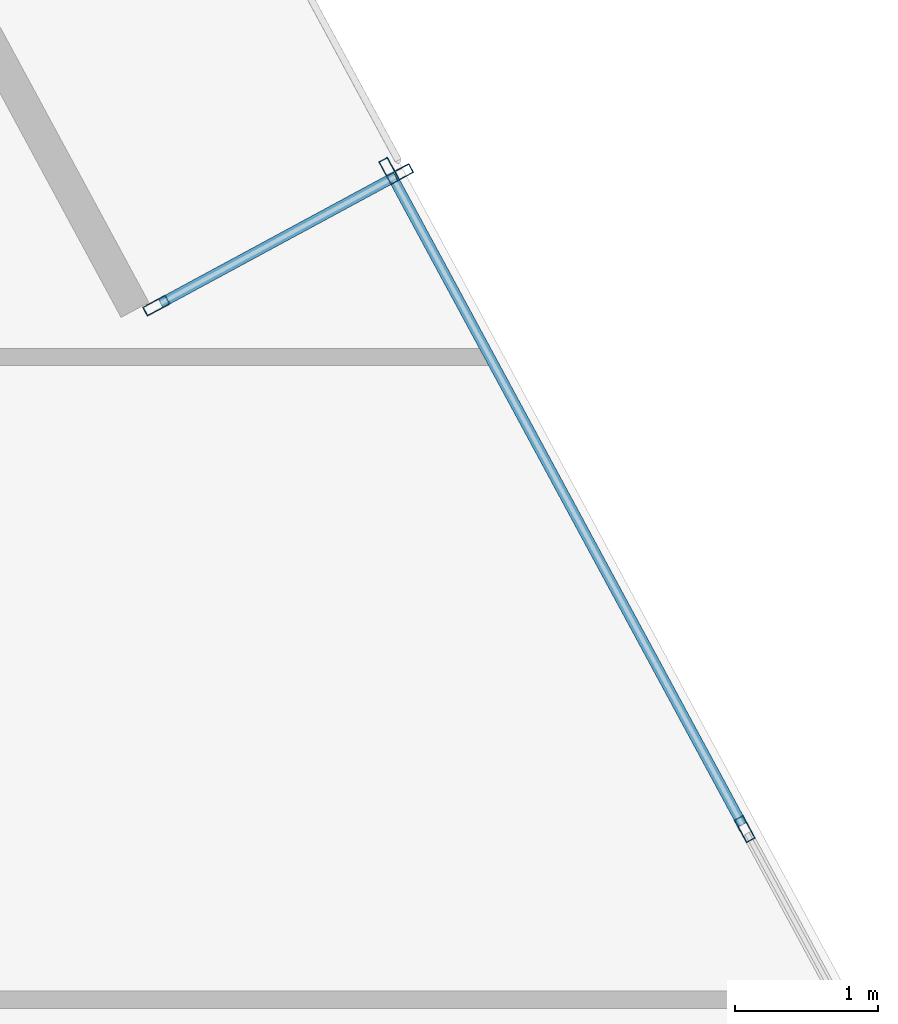
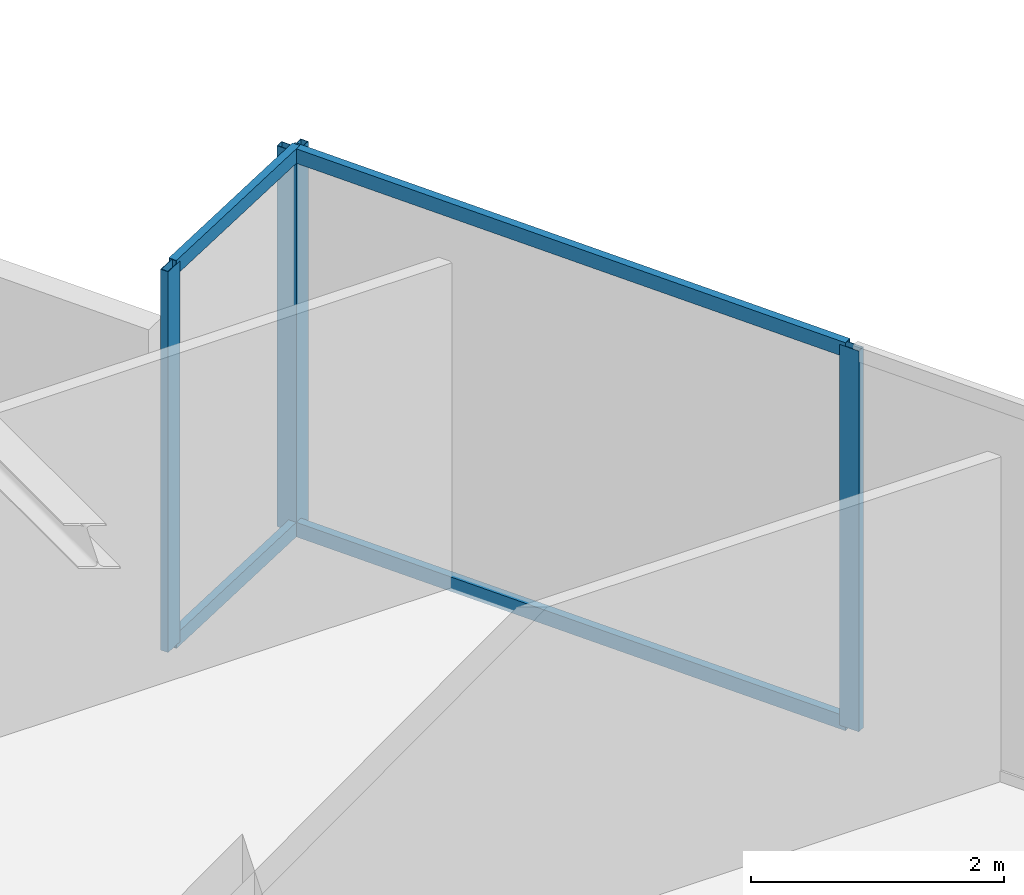
# One storey, part 12 of 22: 8 members, 2 elements without a shape of their own.
"""IFC4 building model written with IfcOpenShell, lengths in metres."""

import ifcopenshell
import ifcopenshell.guid

model = None  # the IFC model being written
_history = None  # IfcOwnerHistory: only IFC2X3 demands one
_inside = {}  # id of a spatial element -> (the spatial element, [elements in it])
_under = {}  # id of a project, library or spatial element -> (it, [spatial elements below it])
_declared = {}  # id of a project -> (the project, [libraries it declares])
_typed = {}  # id of a type object -> (the type object, [elements of that type])
_made_of = {}  # id of a material, layer set ... -> (it, [elements and type objects made of it])


def new_model(schema):
    """Start an empty IFC model of exactly this schema.

    Asked for "IFC4X3", IfcOpenShell would pick the latest addendum, in which some entities
    have other attributes; the version numbers below select the first issue.
    IFC2X3 requires an IfcOwnerHistory on every rooted entity: one is made here for all.
    """
    global model, _history
    if schema == "IFC4X3":
        model = ifcopenshell.file(schema_version=(4, 3, 0, 0))
    else:
        model = ifcopenshell.file(schema=schema)
    _inside.clear()
    _under.clear()
    _declared.clear()
    _typed.clear()
    _made_of.clear()
    _history = None
    if model.schema == "IFC2X3":
        org = make("IfcOrganization", Name="unknown")
        user = make(
            "IfcPersonAndOrganization",
            ThePerson=make("IfcPerson", FamilyName="unknown"),
            TheOrganization=org,
        )
        app = make(
            "IfcApplication",
            ApplicationDeveloper=org,
            Version="unknown",
            ApplicationFullName="unknown",
            ApplicationIdentifier="unknown",
        )
        _history = make(
            "IfcOwnerHistory",
            OwningUser=user,
            OwningApplication=app,
            ChangeAction="ADDED",
            CreationDate=0,
        )
    return model


def make(cls, **values):
    """One entity of the class cls with the attributes given. An attribute that is None is left unset."""
    return model.create_entity(
        cls, **{name: value for name, value in values.items() if value is not None}
    )


def rooted(cls, **values):
    """An entity with a GlobalId (a new one), such as an element, a storey or a relation."""
    return make(cls, GlobalId=ifcopenshell.guid.new(), OwnerHistory=_history, **values)


def si_unit(unit_type, name, prefix=None):
    """IfcSIUnit, for example si_unit("LENGTHUNIT", "METRE", prefix="MILLI")."""
    return make("IfcSIUnit", UnitType=unit_type, Prefix=prefix, Name=name)


def assignment(units):
    """IfcUnitAssignment: the units of a project."""
    return None if units is None else make("IfcUnitAssignment", Units=units)


def point(xyz):
    """IfcCartesianPoint."""
    return None if xyz is None else make("IfcCartesianPoint", Coordinates=xyz)


def direction(xyz):
    """IfcDirection."""
    return None if xyz is None else make("IfcDirection", DirectionRatios=xyz)


def frame(location, z_axis=None, x_axis=None):
    """IfcAxis2Placement3D, a coordinate frame: its origin and axes. An axis left out is left unset."""
    return make(
        "IfcAxis2Placement3D",
        Location=point(location),
        Axis=direction(z_axis),
        RefDirection=direction(x_axis),
    )


def frame_2d(location, x_axis=None):
    """IfcAxis2Placement2D, a coordinate frame in the plane: its origin and x axis."""
    return make(
        "IfcAxis2Placement2D", Location=point(location), RefDirection=direction(x_axis)
    )


def origin():
    """The frame at (0, 0, 0) with its axes left unset."""
    return frame((0.0, 0.0, 0.0))


def origin_2d():
    """The frame at (0, 0) in the plane with its x axis left unset."""
    return frame_2d((0.0, 0.0))


def place(relative_to, where):
    """IfcLocalPlacement: puts the frame where relative to a parent placement (None: the world)."""
    return make(
        "IfcLocalPlacement", PlacementRelTo=relative_to, RelativePlacement=where
    )


def context(
    kind, dimensions, precision=None, world=None, true_north=None, identifier=None
):
    """IfcGeometricRepresentationContext, for example the 3D "Model" context."""
    return make(
        "IfcGeometricRepresentationContext",
        ContextIdentifier=identifier,
        ContextType=kind,
        CoordinateSpaceDimension=dimensions,
        Precision=precision,
        WorldCoordinateSystem=world,
        TrueNorth=true_north,
    )


def subcontext(parent, identifier, kind, view, scale=None):
    """IfcGeometricRepresentationSubContext, for example "Body" below "Model"."""
    return make(
        "IfcGeometricRepresentationSubContext",
        ContextIdentifier=identifier,
        ContextType=kind,
        ParentContext=parent,
        TargetScale=scale,
        TargetView=view,
    )


def project(units=None, contexts=None):
    """IfcProject with its units and contexts."""
    return rooted(
        "IfcProject",
        Name="project",
        RepresentationContexts=contexts,
        UnitsInContext=assignment(units),
    )


def spatial(cls, under=None, at=None, **own):
    """A site, building, storey or space (cls), placed at a placement, below another one or the project."""
    s = rooted(cls, ObjectPlacement=at, **own)
    if under is not None:
        _under.setdefault(under.id(), (under, []))[1].append(s)
    return s


def profile(cls, at=None, kind="AREA", **sizes):
    """A parametric profile (cls). Its sizes go by their IFC names, for example OverallWidth=200.0."""
    return make(cls, ProfileType=kind, Position=at, **sizes)


def hollow_rectangle(**sizes):
    """IfcRectangleHollowProfileDef."""
    return profile("IfcRectangleHollowProfileDef", **sizes)


def extrude(swept, where, along, depth):
    """IfcExtrudedAreaSolid: the profile swept, set in the frame where, extruded along a direction by depth."""
    return make(
        "IfcExtrudedAreaSolid",
        SweptArea=swept,
        Position=where,
        ExtrudedDirection=direction(along),
        Depth=depth,
    )


def shape(context_of_items, identifier, shape_type, items):
    """IfcShapeRepresentation: the items that make up one representation, for example the "Body"."""
    return make(
        "IfcShapeRepresentation",
        ContextOfItems=context_of_items,
        RepresentationIdentifier=identifier,
        RepresentationType=shape_type,
        Items=items,
    )


def source(mapping_origin, context_of_items, identifier, shape_type, items):
    """IfcRepresentationMap: a shape defined once, which mapped items show again and again."""
    return make(
        "IfcRepresentationMap",
        MappingOrigin=mapping_origin,
        MappedRepresentation=shape(context_of_items, identifier, shape_type, items),
    )


def transform(
    local_origin,
    x_axis=None,
    y_axis=None,
    z_axis=None,
    scale=None,
    scale2=None,
    scale3=None,
    uniform=True,
):
    """IfcCartesianTransformationOperator3D, or its non-uniform kind. x_axis, y_axis, z_axis: its Axis1, 2, 3."""
    if uniform:
        return make(
            "IfcCartesianTransformationOperator3D",
            Axis1=direction(x_axis),
            Axis2=direction(y_axis),
            LocalOrigin=point(local_origin),
            Scale=scale,
            Axis3=direction(z_axis),
        )
    return make(
        "IfcCartesianTransformationOperator3DnonUniform",
        Axis1=direction(x_axis),
        Axis2=direction(y_axis),
        LocalOrigin=point(local_origin),
        Scale=scale,
        Axis3=direction(z_axis),
        Scale2=scale2,
        Scale3=scale3,
    )


def mapped(mapping_source, mapping_target):
    """IfcMappedItem: shows the shape of a source again, moved by a transform."""
    return make(
        "IfcMappedItem", MappingSource=mapping_source, MappingTarget=mapping_target
    )


def material(Name=None, Category=None):
    """IfcMaterial."""
    return make("IfcMaterial", Name=Name, Category=Category)


def material_profile(
    of_material, cross_section, Name=None, Category=None, Priority=None
):
    """IfcMaterialProfile: a cross section and its material."""
    return make(
        "IfcMaterialProfile",
        Name=Name,
        Material=of_material,
        Profile=cross_section,
        Priority=Priority,
        Category=Category,
    )


def profile_set(profiles, Name=None, composite=None):
    """IfcMaterialProfileSet."""
    return make(
        "IfcMaterialProfileSet",
        Name=Name,
        MaterialProfiles=profiles,
        CompositeProfile=composite,
    )


def made_of(thing, what):
    """Note that an element or type object is made of a material, layer set ...; save() writes the relation."""
    if what is not None:
        _made_of.setdefault(what.id(), (what, []))[1].append(thing)
    return thing


def type_object(cls, material=None, **own):
    """A type object (cls), such as IfcWallType, which elements share."""
    return made_of(rooted(cls, **own), material)


def type_shapes(of_type, sources):
    """Give a type object the sources (RepresentationMaps) that its elements show as mapped items."""
    of_type.RepresentationMaps = sources


def element(
    cls,
    number,
    at=None,
    inside=None,
    cuts=None,
    type_object=None,
    material=None,
    context=None,
    identifier="Body",
    shape_type=None,
    held_by="IfcProductDefinitionShape",
    body=None,
    shapes=None,
    **own,
):
    """One element of the class cls, such as IfcWall. Its Tag is "e" and its number.

    at: its placement. inside: the storey or other place that contains it. cuts: it is an
    opening in that element (IfcRelVoidsElement). A single representation is given by context,
    identifier, shape_type and body (its items); several are given by shapes. held_by: the class
    of the entity that holds the representations. save() writes the other relations.
    """
    e = rooted(cls, Tag="e%d" % number, ObjectPlacement=at, **own)
    if body is not None:
        shapes = [shape(context, identifier, shape_type, body)]
    if shapes is not None:
        e.Representation = make(held_by, Representations=shapes)
    if inside is not None:
        _inside.setdefault(inside.id(), (inside, []))[1].append(e)
    if cuts is not None:
        rooted(
            "IfcRelVoidsElement", RelatingBuildingElement=cuts, RelatedOpeningElement=e
        )
    if type_object is not None:
        _typed.setdefault(type_object.id(), (type_object, []))[1].append(e)
    return made_of(e, material)


def aggregate(whole, parts):
    """IfcRelAggregates: a whole, such as a stair, and the parts it consists of."""
    return rooted("IfcRelAggregates", RelatingObject=whole, RelatedObjects=parts)


def save(model, path):
    """Write the relations noted so far, then the file.

    IfcRelAggregates (storeys below a building ...), IfcRelContainedInSpatialStructure (elements
    in a storey), IfcRelDefinesByType, IfcRelAssociatesMaterial and IfcRelDeclares: one each for
    every whole, place, type object, material and project.
    """
    for whole, parts in _under.values():
        aggregate(whole, parts)
    for where, things in _inside.values():
        rooted(
            "IfcRelContainedInSpatialStructure",
            RelatedElements=things,
            RelatingStructure=where,
        )
    for kind, things in _typed.values():
        rooted("IfcRelDefinesByType", RelatedObjects=things, RelatingType=kind)
    for what, things in _made_of.values():
        rooted("IfcRelAssociatesMaterial", RelatedObjects=things, RelatingMaterial=what)
    for by, libraries in _declared.values():
        rooted("IfcRelDeclares", RelatingContext=by, RelatedDefinitions=libraries)
    model.write(path)


model = new_model("IFC4")

# Units and contexts
model_context = context("Model", 3, precision=1e-05, world=origin(), true_north=direction((0.0, 1.0)))
body_context = subcontext(model_context, "Body", "Model", "MODEL_VIEW")
ifc_project = project(units=[si_unit("LENGTHUNIT", "METRE"), si_unit("AREAUNIT", "SQUARE_METRE"), si_unit("VOLUMEUNIT", "CUBIC_METRE"), si_unit("PLANEANGLEUNIT", "RADIAN"), si_unit("MASSUNIT", "GRAM", prefix="KILO")], contexts=[model_context])

# Site, building, storey
site_placement = place(None, origin())
site = spatial("IfcSite", under=ifc_project, at=site_placement, CompositionType="ELEMENT")
building_placement = place(site_placement, origin())
building = spatial("IfcBuilding", under=site, at=building_placement, Name="Krantzveldt Concourse Tower", CompositionType="ELEMENT")
storey_placement = place(building_placement, frame((0.0, 0.0, 302.949951171875)))
storey = spatial("IfcBuildingStorey", under=building, at=storey_placement, Name="L74", CompositionType="ELEMENT", Elevation=302.949951171875)

# Curtain wall, members
ifc_material = material(Name="Anodised aluminium 6063-T6", Category="aluminium")
curtain_wall_type_1 = type_object("IfcCurtainWallType", Name="CW4", PredefinedType="USERDEFINED", material=ifc_material)
curtain_wall_1_placement = place(storey_placement, origin())
curtain_wall_1 = element("IfcCurtainWall", 1, at=curtain_wall_1_placement, inside=storey, type_object=curtain_wall_type_1, Name="CW-L74-F10", ObjectType="UNITISED CURTAIN WALL", PredefinedType="USERDEFINED")
ifc_material_profile_1 = material_profile(ifc_material, hollow_rectangle(XDim=0.070068359375, YDim=0.179931640625, WallThickness=0.0048828125, at=origin_2d()), Name="Anodised aluminium 6063-T6", Category="aluminium")
ifc_profile_set_1 = profile_set([ifc_material_profile_1], Name="Anodised aluminium 6063-T6 - ALU-MULL 180x70x5")
member_type_1 = type_object("IfcMemberType", Name="CW-MUL-180", PredefinedType="MULLION", material=ifc_profile_set_1)
shared_shape_1 = source(origin(), body_context, "Body", "SweptSolid", [
    extrude(hollow_rectangle(XDim=0.070068359375, YDim=0.179931640625, WallThickness=0.0048828125, at=origin_2d()), origin(), (0.0, 0.0, 1.0), 3.670166015625),
])
type_shapes(member_type_1, [shared_shape_1])
member_1_placement = place(storey_placement, frame((57.466796875, 28.00927734375, 0.0), z_axis=(0.0, 0.0, 1.0), x_axis=(-0.879856202129, -0.475240006286, 0.0)))
member_1 = element("IfcMember", 2, at=member_1_placement, type_object=member_type_1, Name="CW-Z56 mullion 2", PredefinedType="MULLION", context=body_context, shape_type="MappedRepresentation", body=[
    mapped(shared_shape_1, transform((0.0, 0.0, 0.0), x_axis=(1.0, 0.0, 0.0), y_axis=(0.0, 1.0, 0.0), z_axis=(0.0, 0.0, 1.0), scale=1.0)),
])
member_2_placement = place(storey_placement, frame((54.988525390625, 32.59765625, 0.0), z_axis=(0.0, 0.0, 1.0), x_axis=(-0.879856202129, -0.475240006286, 0.0)))
member_2 = element("IfcMember", 3, at=member_2_placement, type_object=member_type_1, Name="CW-Z56 mullion 3", PredefinedType="MULLION", context=body_context, shape_type="MappedRepresentation", body=[
    mapped(shared_shape_1, transform((0.0, 0.0, 0.0), x_axis=(1.0, 0.0, 0.0), y_axis=(0.0, 1.0, 0.0), z_axis=(0.0, 0.0, 1.0), scale=1.0)),
])

curtain_wall_type_2 = type_object("IfcCurtainWallType", Name="CW6", PredefinedType="USERDEFINED", material=ifc_material)
curtain_wall_2_placement = place(storey_placement, origin())
curtain_wall_2 = element("IfcCurtainWall", 4, at=curtain_wall_2_placement, inside=storey, type_object=curtain_wall_type_2, Name="CW-L74-TR11", ObjectType="UNITISED CURTAIN WALL", PredefinedType="USERDEFINED")
member_3_placement = place(storey_placement, frame((55.06298828125, 32.575439453125, 0.0), z_axis=(0.0, 0.0, 1.0), x_axis=(0.475240504079, -0.879855933255, 0.0)))
member_3 = element("IfcMember", 5, at=member_3_placement, type_object=member_type_1, Name="CW-TERR mullion 1", PredefinedType="MULLION", context=body_context, shape_type="MappedRepresentation", body=[
    mapped(shared_shape_1, transform((0.0, 0.0, 0.0), x_axis=(1.0, 0.0, 0.0), y_axis=(0.0, 1.0, 0.0), z_axis=(0.0, 0.0, 1.0), scale=1.0)),
])
member_4_placement = place(storey_placement, frame((53.364990234375, 31.658203125, 0.0), z_axis=(0.0, 0.0, 1.0), x_axis=(0.475240504079, -0.879855933255, 0.0)))
member_4 = element("IfcMember", 6, at=member_4_placement, type_object=member_type_1, Name="CW-TERR mullion 2", PredefinedType="MULLION", context=body_context, shape_type="MappedRepresentation", body=[
    mapped(shared_shape_1, transform((0.0, 0.0, 0.0), x_axis=(1.0, 0.0, 0.0), y_axis=(0.0, 1.0, 0.0), z_axis=(0.0, 0.0, 1.0), scale=1.0)),
])
ifc_material_profile_2 = material_profile(ifc_material, hollow_rectangle(XDim=0.070068359375, YDim=0.139892578125, WallThickness=0.0048828125, at=origin_2d()), Name="Anodised aluminium 6063-T6", Category="aluminium")
ifc_profile_set_2 = profile_set([ifc_material_profile_2], Name="Anodised aluminium 6063-T6 - ALU-TRAN 140x70x5")
member_type_2 = type_object("IfcMemberType", Name="CW-TRN-150", PredefinedType="USERDEFINED", material=ifc_profile_set_2)
shared_shape_2 = source(origin(), body_context, "Body", "SweptSolid", [
    extrude(hollow_rectangle(XDim=0.070068359375, YDim=0.139892578125, WallThickness=0.0048828125, at=origin_2d()), origin(), (0.0, 0.0, 1.0), 1.860107421875),
])
member_5_placement = place(storey_placement, frame((55.0322265625, 32.558837890625, 0.03515625), z_axis=(-0.879829655395, -0.475289151452, 0.0), x_axis=(0.475289151452, -0.879829655395, 0.0)))
member_5 = element("IfcMember", 7, at=member_5_placement, type_object=member_type_2, Name="CW-TERR transom 1.1", ObjectType="TRANSOM", PredefinedType="USERDEFINED", context=body_context, shape_type="MappedRepresentation", body=[
    mapped(shared_shape_2, transform((0.0, 0.0, 0.0), x_axis=(1.0, 0.0, 0.0), y_axis=(0.0, 1.0, 0.0), z_axis=(0.0, 0.0, 1.0), scale=1.0)),
])
member_6_placement = place(storey_placement, frame((55.0322265625, 32.558837890625, 3.635009765625), z_axis=(-0.879829655395, -0.475289151452, 0.0), x_axis=(0.475289151452, -0.879829655395, 0.0)))
member_6 = element("IfcMember", 8, at=member_6_placement, type_object=member_type_2, Name="CW-TERR transom 1.2", ObjectType="TRANSOM", PredefinedType="USERDEFINED", context=body_context, shape_type="MappedRepresentation", body=[
    mapped(shared_shape_2, transform((0.0, 0.0, 0.0), x_axis=(1.0, 0.0, 0.0), y_axis=(0.0, 1.0, 0.0), z_axis=(0.0, 0.0, 1.0), scale=1.0)),
])
aggregate(curtain_wall_2, [member_3, member_4, member_5, member_6])

# Member
shared_shape_3 = source(origin(), body_context, "Body", "SweptSolid", [
    extrude(hollow_rectangle(XDim=0.070068359375, YDim=0.139892578125, WallThickness=0.0048828125, at=origin_2d()), origin(), (0.0, 0.0, 1.0), 5.14501953125),
])
type_shapes(member_type_2, [shared_shape_2, shared_shape_3])
member_7_placement = place(storey_placement, frame((57.4501953125, 28.0400390625, 0.03515625), z_axis=(-0.475234147244, 0.87985936677, 0.0), x_axis=(-0.87985936677, -0.475234147244, 0.0)))
member_7 = element("IfcMember", 9, at=member_7_placement, type_object=member_type_2, Name="CW-Z56 transom 2.1", ObjectType="TRANSOM", PredefinedType="USERDEFINED", context=body_context, shape_type="MappedRepresentation", body=[
    mapped(shared_shape_3, transform((0.0, 0.0, 0.0), x_axis=(1.0, 0.0, 0.0), y_axis=(0.0, 1.0, 0.0), z_axis=(0.0, 0.0, 1.0), scale=1.0)),
])

member_8_placement = place(storey_placement, frame((57.4501953125, 28.0400390625, 3.635009765625), z_axis=(-0.475234147244, 0.87985936677, 0.0), x_axis=(-0.87985936677, -0.475234147244, 0.0)))
member_8 = element("IfcMember", 10, at=member_8_placement, type_object=member_type_2, Name="CW-Z56 transom 2.2", ObjectType="TRANSOM", PredefinedType="USERDEFINED", context=body_context, shape_type="MappedRepresentation", body=[
    mapped(shared_shape_3, transform((0.0, 0.0, 0.0), x_axis=(1.0, 0.0, 0.0), y_axis=(0.0, 1.0, 0.0), z_axis=(0.0, 0.0, 1.0), scale=1.0)),
])

aggregate(curtain_wall_1, [member_1, member_2, member_7, member_8])

save(model, "model.ifc")
